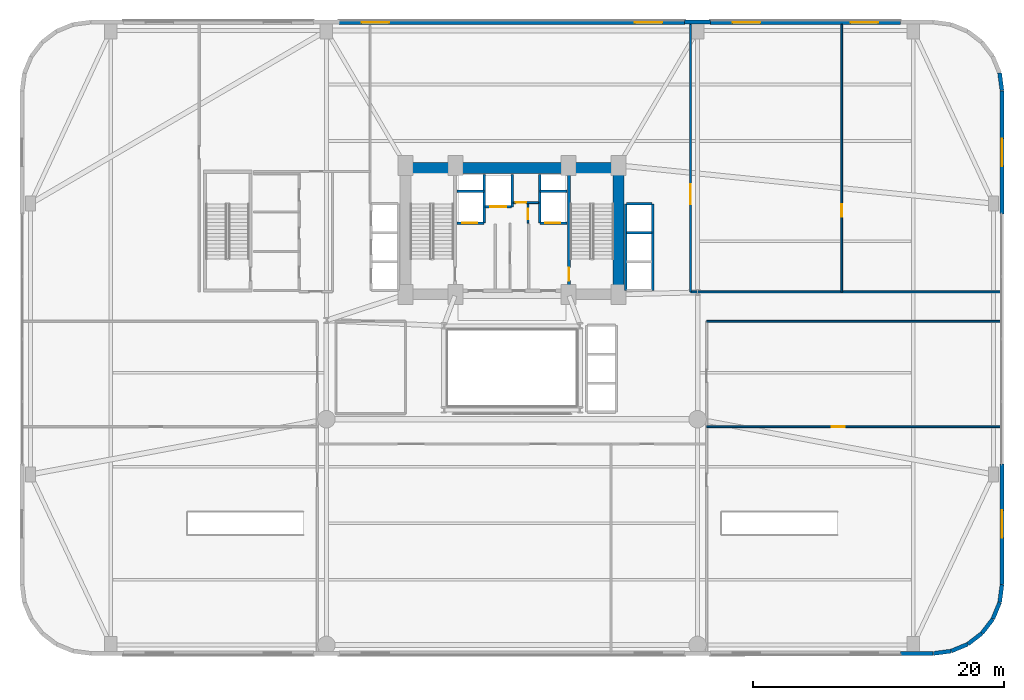
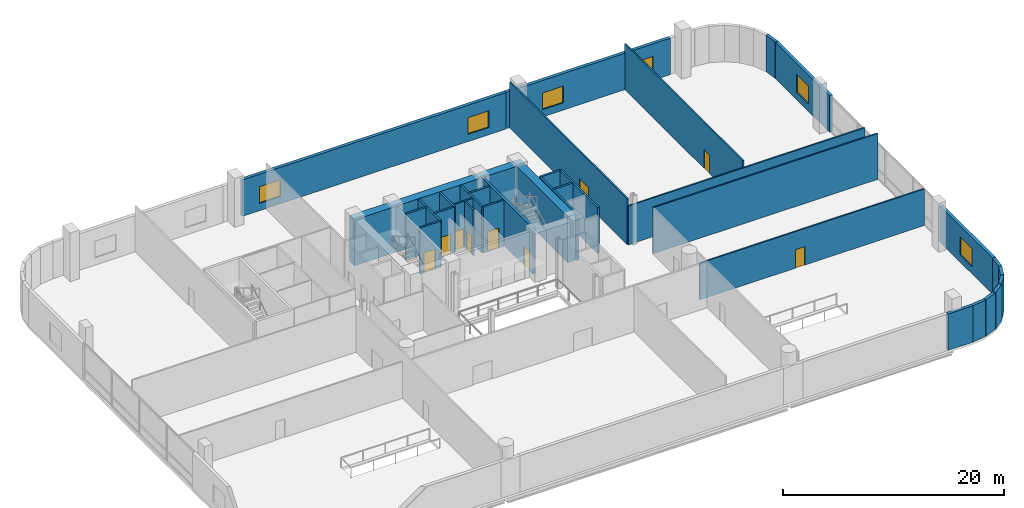
# One storey, part 24 of 31: 35 walls, 9 doors, 6 windows, 15 openings.
"""IFC4 building model written with IfcOpenShell, lengths in metres."""

from ifc_helpers import new_model, si_unit, direction, frame, frame_2d, origin, place, context, subcontext, project, spatial, rectangle, extrude, material, layer, layer_set, type_object, element, fill, save


model = new_model("IFC4")

# Units and contexts
model_context = context("Model", 3, precision=1e-05, world=origin(), true_north=direction((0.0, 1.0)))
body_context = subcontext(model_context, "Body", "Model", "MODEL_VIEW")
ifc_project = project(units=[si_unit("LENGTHUNIT", "METRE"), si_unit("AREAUNIT", "SQUARE_METRE"), si_unit("VOLUMEUNIT", "CUBIC_METRE"), si_unit("PLANEANGLEUNIT", "RADIAN"), si_unit("MASSUNIT", "GRAM", prefix="KILO")], contexts=[model_context])

# Site, building, storey
site_placement = place(None, origin())
site = spatial("IfcSite", under=ifc_project, at=site_placement, CompositionType="ELEMENT")
building_placement = place(site_placement, origin())
building = spatial("IfcBuilding", under=site, at=building_placement, Name="Varnelok Gate Tower", CompositionType="ELEMENT")
storey_placement = place(building_placement, frame((0.0, 0.0, 16.199951171875)))
storey = spatial("IfcBuildingStorey", under=building, at=storey_placement, Name="L03", CompositionType="ELEMENT", Elevation=16.199951171875)

# Wall, openings, windows
ifc_material_1 = material(Name="Concrete C45/55", Category="concrete")
ifc_layer_1 = layer(ifc_material_1, 0.320068359375)
ifc_layer_set_1 = layer_set([ifc_layer_1], Name="Concrete C45/55")
wall_type_1 = type_object("IfcWallType", Name="EW-POD-320", PredefinedType="SOLIDWALL", material=ifc_layer_set_1)
wall_1_placement = place(storey_placement, frame((25.39990234375, 50.43994140625, 0.0), z_axis=(0.0, 0.0, 1.0), x_axis=(1.0, 0.0, 0.0)))
wall_1 = element("IfcWall", 1, at=wall_1_placement, inside=storey, type_object=wall_type_1, Name="L03 North Podium Wall 2", PredefinedType="SOLIDWALL", context=body_context, shape_type="SweptSolid", body=[
    extrude(rectangle(XDim=27.60009765625, YDim=0.320068359375, at=frame_2d((13.800048828125, 0.0))), origin(), (0.0, 0.0, 1.0), 4.030029296875),
])
opening_1_placement = place(wall_1_placement, frame((1.800048828125, 0.0, 0.800048828125)))
opening_1 = element("IfcOpeningElement", 2, at=opening_1_placement, cuts=wall_1, Name="Opening WN2", PredefinedType="OPENING", context=body_context, shape_type="SweptSolid", body=[
    extrude(rectangle(XDim=2.199951171875, YDim=1.85009765625, at=frame_2d((1.10009765625, 0.925048828125))), frame((0.0, 0.169921875, 0.0), z_axis=(0.0, -1.0, 0.0), x_axis=(1.0, 0.0, 0.0)), (0.0, 0.0, 1.0), 0.340087890625),
])
opening_2_placement = place(wall_1_placement, frame((23.60009765625, 0.0, 0.800048828125)))
opening_2 = element("IfcOpeningElement", 3, at=opening_2_placement, cuts=wall_1, Name="Opening WN2", PredefinedType="OPENING", context=body_context, shape_type="SweptSolid", body=[
    extrude(rectangle(XDim=2.199951171875, YDim=1.85009765625, at=frame_2d((1.10009765625, 0.925048828125))), frame((0.0, 0.169921875, 0.0), z_axis=(0.0, -1.0, 0.0), x_axis=(1.0, 0.0, 0.0)), (0.0, 0.0, 1.0), 0.340087890625),
])
ifc_material_2 = material(Name="Low-E Laminated Double Glazing IGU", Category="glass")
window_type_1 = type_object("IfcWindowType", Name="WN-POD-2200", PartitioningType="SINGLE_PANEL", PredefinedType="WINDOW", material=ifc_material_2)
window_1_placement = place(opening_1_placement, origin())
window_1 = element("IfcWindow", 4, at=window_1_placement, inside=storey, type_object=window_type_1, Name="L03 Podium Window N2.1", OverallHeight=1.85009765625, OverallWidth=2.199951171875, PartitioningType="SINGLE_PANEL", PredefinedType="WINDOW", context=body_context, shape_type="SweptSolid", body=[
    extrude(rectangle(XDim=2.199951171875, YDim=1.85009765625, at=frame_2d((1.10009765625, 0.925048828125))), frame((0.0, 0.030029296875, 0.0), z_axis=(0.0, -1.0, 0.0), x_axis=(1.0, 0.0, 0.0)), (0.0, 0.0, 1.0), 0.06005859375),
])
fill(opening_1, window_1)
window_2_placement = place(opening_2_placement, origin())
window_2 = element("IfcWindow", 5, at=window_2_placement, inside=storey, type_object=window_type_1, Name="L03 Podium Window N2.2", OverallHeight=1.85009765625, OverallWidth=2.199951171875, PartitioningType="SINGLE_PANEL", PredefinedType="WINDOW", context=body_context, shape_type="SweptSolid", body=[
    extrude(rectangle(XDim=2.199951171875, YDim=1.85009765625, at=frame_2d((1.10009765625, 0.925048828125))), frame((0.0, 0.030029296875, 0.0), z_axis=(0.0, -1.0, 0.0), x_axis=(1.0, 0.0, 0.0)), (0.0, 0.0, 1.0), 0.06005859375),
])
fill(opening_2, window_2)

wall_2_placement = place(storey_placement, frame((55.0, 50.43994140625, 0.0), z_axis=(0.0, 0.0, 1.0), x_axis=(1.0, 0.0, 0.0)))
wall_2 = element("IfcWall", 6, at=wall_2_placement, inside=storey, type_object=wall_type_1, Name="L03 North Podium Wall 3", PredefinedType="SOLIDWALL", context=body_context, shape_type="SweptSolid", body=[
    extrude(rectangle(XDim=15.199951171875, YDim=0.320068359375, at=frame_2d((7.60009765625, 0.0))), origin(), (0.0, 0.0, 1.0), 4.030029296875),
])
opening_3_placement = place(wall_2_placement, frame((1.800048828125, 0.0, 0.800048828125)))
opening_3 = element("IfcOpeningElement", 7, at=opening_3_placement, cuts=wall_2, Name="Opening WN2", PredefinedType="OPENING", context=body_context, shape_type="SweptSolid", body=[
    extrude(rectangle(XDim=2.199951171875, YDim=1.85009765625, at=frame_2d((1.10009765625, 0.925048828125))), frame((0.0, 0.169921875, 0.0), z_axis=(0.0, -1.0, 0.0), x_axis=(1.0, 0.0, 0.0)), (0.0, 0.0, 1.0), 0.340087890625),
])
opening_4_placement = place(wall_2_placement, frame((11.199951171875, 0.0, 0.800048828125)))
opening_4 = element("IfcOpeningElement", 8, at=opening_4_placement, cuts=wall_2, Name="Opening WN2", PredefinedType="OPENING", context=body_context, shape_type="SweptSolid", body=[
    extrude(rectangle(XDim=2.199951171875, YDim=1.85009765625, at=frame_2d((1.10009765625, 0.925048828125))), frame((0.0, 0.169921875, 0.0), z_axis=(0.0, -1.0, 0.0), x_axis=(1.0, 0.0, 0.0)), (0.0, 0.0, 1.0), 0.340087890625),
])
window_3_placement = place(opening_3_placement, origin())
window_3 = element("IfcWindow", 9, at=window_3_placement, inside=storey, type_object=window_type_1, Name="L03 Podium Window N3.1", OverallHeight=1.85009765625, OverallWidth=2.199951171875, PartitioningType="SINGLE_PANEL", PredefinedType="WINDOW", context=body_context, shape_type="SweptSolid", body=[
    extrude(rectangle(XDim=2.199951171875, YDim=1.85009765625, at=frame_2d((1.10009765625, 0.925048828125))), frame((0.0, 0.030029296875, 0.0), z_axis=(0.0, -1.0, 0.0), x_axis=(1.0, 0.0, 0.0)), (0.0, 0.0, 1.0), 0.06005859375),
])
fill(opening_3, window_3)
window_4_placement = place(opening_4_placement, origin())
window_4 = element("IfcWindow", 10, at=window_4_placement, inside=storey, type_object=window_type_1, Name="L03 Podium Window N3.2", OverallHeight=1.85009765625, OverallWidth=2.199951171875, PartitioningType="SINGLE_PANEL", PredefinedType="WINDOW", context=body_context, shape_type="SweptSolid", body=[
    extrude(rectangle(XDim=2.199951171875, YDim=1.85009765625, at=frame_2d((1.10009765625, 0.925048828125))), frame((0.0, 0.030029296875, 0.0), z_axis=(0.0, -1.0, 0.0), x_axis=(1.0, 0.0, 0.0)), (0.0, 0.0, 1.0), 0.06005859375),
])
fill(opening_4, window_4)

# Walls
wall_3_placement = place(storey_placement, frame((70.169921875, 0.1201171875, 0.0), z_axis=(0.0, 0.0, 1.0), x_axis=(1.0, 0.0, 0.0)))
element("IfcWall", 11, at=wall_3_placement, inside=storey, type_object=wall_type_1, Name="L03 Perimeter Facade Closure Wall 10", PredefinedType="SOLIDWALL", context=body_context, shape_type="SweptSolid", body=[
    extrude(rectangle(XDim=2.6220703125, YDim=0.320068359375, at=frame_2d((1.31103515625, 0.0))), origin(), (0.0, 0.0, 1.0), 4.030029296875),
])
wall_4_placement = place(storey_placement, frame((72.81689453125, 0.123291015625, 0.0), z_axis=(0.0, 0.0, 1.0), x_axis=(0.991457235349, 0.130432168094, 0.0)))
element("IfcWall", 12, at=wall_4_placement, inside=storey, type_object=wall_type_1, Name="L03 Perimeter Facade Closure Wall 11", PredefinedType="SOLIDWALL", context=body_context, shape_type="SweptSolid", body=[
    extrude(rectangle(XDim=1.4130859375, YDim=0.320068359375, at=frame_2d((0.70654296875, 0.0))), origin(), (0.0, 0.0, 1.0), 4.030029296875),
])
for number, where, z_axis, x_axis, name in (
    (13, (74.2412109375, 0.3173828125, 0.0), (0.0, 0.0, 1.0), (0.923927911071, 0.382566615302, 0.0), "L03 Perimeter Facade Closure Wall 12"),
    (14, (75.559326171875, 0.870361328125, 0.0), (0.0, 0.0, 1.0), (0.79338541907, 0.60871962085, 0.0), "L03 Perimeter Facade Closure Wall 13"),
    (15, (76.689453125, 1.74560546875, 0.0), (0.0, 0.0, 1.0), (0.60871962085, 0.79338541907, 0.0), "L03 Perimeter Facade Closure Wall 14"),
    (16, (77.554443359375, 2.883544921875, 0.0), (0.0, 0.0, 1.0), (0.382714908977, 0.923866493844, 0.0), "L03 Perimeter Facade Closure Wall 15"),
):
    element("IfcWall", number, at=place(storey_placement, frame(where, z_axis=z_axis, x_axis=x_axis)), inside=storey, type_object=wall_type_1, Name=name, PredefinedType="SOLIDWALL", context=body_context, shape_type="SweptSolid", body=[
        extrude(rectangle(XDim=1.4052734375, YDim=0.320068359375, at=frame_2d((0.70263671875, 0.0))), origin(), (0.0, 0.0, 1.0), 4.030029296875),
    ])
wall_5_placement = place(storey_placement, frame((78.095703125, 4.206787109375, 0.0), z_axis=(0.0, 0.0, 1.0), x_axis=(0.130432168094, 0.991457235349, 0.0)))
element("IfcWall", 17, at=wall_5_placement, inside=storey, type_object=wall_type_1, Name="L03 Perimeter Facade Closure Wall 16", PredefinedType="SOLIDWALL", context=body_context, shape_type="SweptSolid", body=[
    extrude(rectangle(XDim=1.4130859375, YDim=0.320068359375, at=frame_2d((0.70654296875, 0.0))), origin(), (0.0, 0.0, 1.0), 4.030029296875),
])

# Wall, opening, window
wall_6_placement = place(storey_placement, frame((78.280029296875, 5.6328125, 0.0), z_axis=(0.0, 0.0, 1.0), x_axis=(0.0, 1.0, 0.0)))
wall_6 = element("IfcWall", 18, at=wall_6_placement, inside=storey, type_object=wall_type_1, Name="L03 Perimeter Facade Closure Wall 17", PredefinedType="SOLIDWALL", context=body_context, shape_type="SweptSolid", body=[
    extrude(rectangle(XDim=9.59716796875, YDim=0.320068359375, at=frame_2d((4.798583984375, 0.0))), origin(), (0.0, 0.0, 1.0), 4.030029296875),
])
opening_5_placement = place(wall_6_placement, frame((3.698486328125, 0.0, 0.800048828125)))
opening_5 = element("IfcOpeningElement", 19, at=opening_5_placement, cuts=wall_6, Name="Opening WN2A", PredefinedType="OPENING", context=body_context, shape_type="SweptSolid", body=[
    extrude(rectangle(XDim=2.199951171875, YDim=2.0, at=frame_2d((1.10009765625, 1.0))), frame((0.0, 0.169921875, 0.0), z_axis=(0.0, -1.0, 0.0), x_axis=(1.0, 0.0, 0.0)), (0.0, 0.0, 1.0), 0.340087890625),
])
window_type_2 = type_object("IfcWindowType", Name="WN-POD-2200X2000", PartitioningType="SINGLE_PANEL", PredefinedType="WINDOW", material=ifc_material_2)
window_5_placement = place(opening_5_placement, origin())
window_5 = element("IfcWindow", 20, at=window_5_placement, inside=storey, type_object=window_type_2, Name="L03 Perimeter Vision Window 17", OverallHeight=2.0, OverallWidth=2.199951171875, PartitioningType="SINGLE_PANEL", PredefinedType="WINDOW", context=body_context, shape_type="SweptSolid", body=[
    extrude(rectangle(XDim=2.199951171875, YDim=2.0, at=frame_2d((1.10009765625, 1.0))), frame((0.0, 0.030029296875, 0.0), z_axis=(0.0, -1.0, 0.0), x_axis=(1.0, 0.0, 0.0)), (0.0, 0.0, 1.0), 0.06005859375),
])
fill(opening_5, window_5)

wall_7_placement = place(storey_placement, frame((78.280029296875, 35.169921875, 0.0), z_axis=(0.0, 0.0, 1.0), x_axis=(0.0, 1.0, 0.0)))
wall_7 = element("IfcWall", 21, at=wall_7_placement, inside=storey, type_object=wall_type_1, Name="L03 Perimeter Facade Closure Wall 18", PredefinedType="SOLIDWALL", context=body_context, shape_type="SweptSolid", body=[
    extrude(rectangle(XDim=9.822265625, YDim=0.320068359375, at=frame_2d((4.9111328125, 0.0))), origin(), (0.0, 0.0, 1.0), 4.030029296875),
])
opening_6_placement = place(wall_7_placement, frame((3.81103515625, 0.0, 0.800048828125)))
opening_6 = element("IfcOpeningElement", 22, at=opening_6_placement, cuts=wall_7, Name="Opening WN2A", PredefinedType="OPENING", context=body_context, shape_type="SweptSolid", body=[
    extrude(rectangle(XDim=2.199951171875, YDim=2.0, at=frame_2d((1.10009765625, 1.0))), frame((0.0, 0.169921875, 0.0), z_axis=(0.0, -1.0, 0.0), x_axis=(1.0, 0.0, 0.0)), (0.0, 0.0, 1.0), 0.340087890625),
])
window_6_placement = place(opening_6_placement, origin())
window_6 = element("IfcWindow", 23, at=window_6_placement, inside=storey, type_object=window_type_2, Name="L03 Perimeter Vision Window 18", OverallHeight=2.0, OverallWidth=2.199951171875, PartitioningType="SINGLE_PANEL", PredefinedType="WINDOW", context=body_context, shape_type="SweptSolid", body=[
    extrude(rectangle(XDim=2.199951171875, YDim=2.0, at=frame_2d((1.10009765625, 1.0))), frame((0.0, 0.030029296875, 0.0), z_axis=(0.0, -1.0, 0.0), x_axis=(1.0, 0.0, 0.0)), (0.0, 0.0, 1.0), 0.06005859375),
])
fill(opening_6, window_6)

# Walls
wall_8_placement = place(storey_placement, frame((78.276611328125, 45.016845703125, 0.0), z_axis=(0.0, 0.0, 1.0), x_axis=(-0.130409831203, 0.991460173646, 0.0)))
element("IfcWall", 24, at=wall_8_placement, inside=storey, type_object=wall_type_1, Name="L03 Perimeter Facade Closure Wall 19", PredefinedType="SOLIDWALL", context=body_context, shape_type="SweptSolid", body=[
    extrude(rectangle(XDim=1.413330078125, YDim=0.320068359375, at=frame_2d((0.70654296875, 0.0))), origin(), (0.0, 0.0, 1.0), 4.030029296875),
])
wall_9_placement = place(storey_placement, frame((55.030029296875, 50.47998046875, 0.0), z_axis=(0.0, 0.0, 1.0), x_axis=(-1.0, 0.0, 0.0)))
element("IfcWall", 25, at=wall_9_placement, inside=storey, type_object=wall_type_1, Name="L03 Perimeter Facade Closure Wall 26", PredefinedType="SOLIDWALL", context=body_context, shape_type="SweptSolid", body=[
    extrude(rectangle(XDim=2.06005859375, YDim=0.320068359375, at=frame_2d((1.030029296875, 0.0))), origin(), (0.0, 0.0, 1.0), 4.030029296875),
])

# Wall, opening, door
ifc_material_3 = material(Name="Gypsum Plasterboard Acoustic Partition", Category="gypsum")
ifc_layer_2 = layer(ifc_material_3, 0.14990234375)
ifc_layer_set_2 = layer_set([ifc_layer_2], Name="Gypsum Plasterboard Acoustic Partition")
wall_type_2 = type_object("IfcWallType", Name="PW-PART-150", PredefinedType="PARTITIONING", material=ifc_layer_set_2)
wall_10_placement = place(storey_placement, frame((54.719970703125, 18.199951171875, 0.0), z_axis=(0.0, 0.0, 1.0), x_axis=(1.0, 0.0, 0.0)))
wall_10 = element("IfcWall", 26, at=wall_10_placement, inside=storey, type_object=wall_type_2, Name="Interior Partition", PredefinedType="PARTITIONING", context=body_context, shape_type="SweptSolid", body=[
    extrude(rectangle(XDim=23.47998046875, YDim=0.14990234375, at=frame_2d((11.739990234375, 0.0))), origin(), (0.0, 0.0, 1.0), 4.045166015625),
])
opening_7_placement = place(wall_10_placement, frame((10.0, 0.0, 0.0)))
opening_7 = element("IfcOpeningElement", 27, at=opening_7_placement, cuts=wall_10, Name="Opening D-I1", PredefinedType="OPENING", context=body_context, shape_type="SweptSolid", body=[
    extrude(rectangle(XDim=1.0, YDim=2.050048828125, at=frame_2d((0.5, 1.02490234375))), frame((0.0, 0.0849609375, 0.0), z_axis=(0.0, -1.0, 0.0), x_axis=(1.0, 0.0, 0.0)), (0.0, 0.0, 1.0), 0.169921875),
])
ifc_material_4 = material(Name="Engineered Hardwood Timber", Category="wood")
door_type_1 = type_object("IfcDoorType", Name="DR-INT-1000", OperationType="NOTDEFINED", PredefinedType="DOOR", material=ifc_material_4)
door_1_placement = place(opening_7_placement, origin())
door_1 = element("IfcDoor", 28, at=door_1_placement, inside=storey, type_object=door_type_1, Name="L03 East Wing Divider Door", OperationType="SINGLE_SWING_RIGHT", OverallHeight=2.050048828125, OverallWidth=1.0, PredefinedType="DOOR", context=body_context, shape_type="SweptSolid", body=[
    extrude(rectangle(XDim=1.0, YDim=2.050048828125, at=frame_2d((0.5, 1.02490234375))), frame((0.0, 0.02490234375, 0.0), z_axis=(0.0, -1.0, 0.0), x_axis=(1.0, 0.0, 0.0)), (0.0, 0.0, 1.0), 0.050048828125),
])
fill(opening_7, door_1)

wall_11_placement = place(storey_placement, frame((65.5, 28.9599609375, 0.0), z_axis=(0.0, 0.0, 1.0), x_axis=(0.0, 1.0, 0.0)))
wall_11 = element("IfcWall", 29, at=wall_11_placement, inside=storey, type_object=wall_type_2, Name="Interior Partition", PredefinedType="PARTITIONING", context=body_context, shape_type="SweptSolid", body=[
    extrude(rectangle(XDim=21.340087890625, YDim=0.14990234375, at=frame_2d((10.669921875, 0.0))), origin(), (0.0, 0.0, 1.0), 5.080078125),
])
opening_8_placement = place(wall_11_placement, frame((6.0, 0.0, 0.0)))
opening_8 = element("IfcOpeningElement", 30, at=opening_8_placement, cuts=wall_11, Name="Opening D-I1", PredefinedType="OPENING", context=body_context, shape_type="SweptSolid", body=[
    extrude(rectangle(XDim=1.0, YDim=2.050048828125, at=frame_2d((0.5, 1.02490234375))), frame((0.0, 0.0849609375, 0.0), z_axis=(0.0, -1.0, 0.0), x_axis=(1.0, 0.0, 0.0)), (0.0, 0.0, 1.0), 0.169921875),
])
door_2_placement = place(opening_8_placement, origin())
door_2 = element("IfcDoor", 31, at=door_2_placement, inside=storey, type_object=door_type_1, Name="L03 Cellar Annex Door", OperationType="SINGLE_SWING_LEFT", OverallHeight=2.050048828125, OverallWidth=1.0, PredefinedType="DOOR", context=body_context, shape_type="SweptSolid", body=[
    extrude(rectangle(XDim=1.0, YDim=2.050048828125, at=frame_2d((0.5, 1.02490234375))), frame((0.0, 0.02490234375, 0.0), z_axis=(0.0, -1.0, 0.0), x_axis=(1.0, 0.0, 0.0)), (0.0, 0.0, 1.0), 0.050048828125),
])
fill(opening_8, door_2)

# Wall
wall_12_placement = place(storey_placement, frame((54.719970703125, 26.6201171875, 0.0), z_axis=(0.0, 0.0, 1.0), x_axis=(1.0, 0.0, 0.0)))
element("IfcWall", 32, at=wall_12_placement, inside=storey, type_object=wall_type_2, Name="Interior Partition", PredefinedType="PARTITIONING", context=body_context, shape_type="SweptSolid", body=[
    extrude(rectangle(XDim=23.47998046875, YDim=0.14990234375, at=frame_2d((11.739990234375, 0.0))), origin(), (0.0, 0.0, 1.0), 5.080078125),
])

# Wall, opening, door
wall_13_placement = place(storey_placement, frame((53.43994140625, 28.9599609375, 0.0), z_axis=(0.0, 0.0, 1.0), x_axis=(0.0, 1.0, 0.0)))
wall_13 = element("IfcWall", 33, at=wall_13_placement, inside=storey, type_object=wall_type_2, Name="Interior Partition", PredefinedType="PARTITIONING", context=body_context, shape_type="SweptSolid", body=[
    extrude(rectangle(XDim=21.340087890625, YDim=0.14990234375, at=frame_2d((10.669921875, 0.0))), origin(), (0.0, 0.0, 1.0), 5.080078125),
])
opening_9_placement = place(wall_13_placement, frame((7.0, 0.0, 0.0)))
opening_9 = element("IfcOpeningElement", 34, at=opening_9_placement, cuts=wall_13, Name="Opening D-PL", PredefinedType="OPENING", context=body_context, shape_type="SweptSolid", body=[
    extrude(rectangle(XDim=1.60009765625, YDim=2.050048828125, at=frame_2d((0.800048828125, 1.02490234375))), frame((0.0, 0.0849609375, 0.0), z_axis=(0.0, -1.0, 0.0), x_axis=(1.0, 0.0, 0.0)), (0.0, 0.0, 1.0), 0.169921875),
])
ifc_material_5 = material(Name="Galvanized Steel Grade S350GD", Category="steel")
door_type_2 = type_object("IfcDoorType", Name="DR-PLANT-1600", OperationType="DOUBLE_DOOR_SINGLE_SWING", PredefinedType="DOOR", material=ifc_material_5)
door_3_placement = place(opening_9_placement, origin())
door_3 = element("IfcDoor", 35, at=door_3_placement, inside=storey, type_object=door_type_2, Name="L03 Banquet Kitchen Door", OperationType="DOUBLE_DOOR_SINGLE_SWING", OverallHeight=2.050048828125, OverallWidth=1.60009765625, PredefinedType="DOOR", context=body_context, shape_type="SweptSolid", body=[
    extrude(rectangle(XDim=1.60009765625, YDim=2.050048828125, at=frame_2d((0.800048828125, 1.02490234375))), frame((0.0, 0.02490234375, 0.0), z_axis=(0.0, -1.0, 0.0), x_axis=(1.0, 0.0, 0.0)), (0.0, 0.0, 1.0), 0.050048828125),
])
fill(opening_9, door_3)

# Wall
wall_14_placement = place(storey_placement, frame((53.43994140625, 28.9599609375, 0.0), z_axis=(0.0, 0.0, 1.0), x_axis=(1.0, 0.0, 0.0)))
element("IfcWall", 36, at=wall_14_placement, inside=storey, type_object=wall_type_2, Name="Interior Partition", PredefinedType="PARTITIONING", context=body_context, shape_type="SweptSolid", body=[
    extrude(rectangle(XDim=24.760009765625, YDim=0.14990234375, at=frame_2d((12.3798828125, 0.0))), origin(), (0.0, 0.0, 1.0), 4.2919921875),
])

# Wall, opening, door
wall_15_placement = place(storey_placement, frame((39.300048828125, 36.080078125, 0.0), z_axis=(0.0, 0.0, 1.0), x_axis=(1.0, 0.0, 0.0)))
wall_15 = element("IfcWall", 37, at=wall_15_placement, inside=storey, type_object=wall_type_2, Name="L03 Electrical Closet South Wall", PredefinedType="PARTITIONING", context=body_context, shape_type="SweptSolid", body=[
    extrude(rectangle(XDim=2.02001953125, YDim=0.14990234375, at=frame_2d((1.010009765625, 0.0))), origin(), (0.0, 0.0, 1.0), 5.080078125),
])
opening_10_placement = place(wall_15_placement, frame((0.179931640625, 0.0, 0.0)))
opening_10 = element("IfcOpeningElement", 38, at=opening_10_placement, cuts=wall_15, Name="Opening D-RS", PredefinedType="OPENING", context=body_context, shape_type="SweptSolid", body=[
    extrude(rectangle(XDim=0.85009765625, YDim=2.050048828125, at=frame_2d((0.425048828125, 1.02490234375))), frame((0.0, 0.0849609375, 0.0), z_axis=(0.0, -1.0, 0.0), x_axis=(1.0, 0.0, 0.0)), (0.0, 0.0, 1.0), 0.169921875),
])
door_type_3 = type_object("IfcDoorType", Name="DR-RISER-850", OperationType="NOTDEFINED", PredefinedType="DOOR", material=ifc_material_5)
door_4_placement = place(opening_10_placement, origin())
door_4 = element("IfcDoor", 39, at=door_4_placement, inside=storey, type_object=door_type_3, Name="L03 Electrical Closet Door", OperationType="SINGLE_SWING_RIGHT", OverallHeight=2.050048828125, OverallWidth=0.85009765625, PredefinedType="DOOR", context=body_context, shape_type="SweptSolid", body=[
    extrude(rectangle(XDim=0.85009765625, YDim=2.050048828125, at=frame_2d((0.425048828125, 1.02490234375))), frame((0.0, 0.02490234375, 0.0), z_axis=(0.0, -1.0, 0.0), x_axis=(1.0, 0.0, 0.0)), (0.0, 0.0, 1.0), 0.050048828125),
])
fill(opening_10, door_4)

wall_16_placement = place(storey_placement, frame((40.47998046875, 34.43994140625, 0.0), z_axis=(0.0, 0.0, 1.0), x_axis=(0.0, 1.0, 0.0)))
wall_16 = element("IfcWall", 40, at=wall_16_placement, inside=storey, type_object=wall_type_2, Name="L03 Telecoms Closet West Wall", PredefinedType="PARTITIONING", context=body_context, shape_type="SweptSolid", body=[
    extrude(rectangle(XDim=1.52001953125, YDim=0.14990234375, at=frame_2d((0.760009765625, 0.0))), origin(), (0.0, 0.0, 1.0), 5.080078125),
])
opening_11_placement = place(wall_16_placement, frame((0.320068359375, 0.0, 0.0)))
opening_11 = element("IfcOpeningElement", 41, at=opening_11_placement, cuts=wall_16, Name="Opening D-RS", PredefinedType="OPENING", context=body_context, shape_type="SweptSolid", body=[
    extrude(rectangle(XDim=0.85009765625, YDim=2.050048828125, at=frame_2d((0.425048828125, 1.02490234375))), frame((0.0, 0.0849609375, 0.0), z_axis=(0.0, -1.0, 0.0), x_axis=(1.0, 0.0, 0.0)), (0.0, 0.0, 1.0), 0.169921875),
])
door_5_placement = place(opening_11_placement, origin())
door_5 = element("IfcDoor", 42, at=door_5_placement, inside=storey, type_object=door_type_3, Name="L03 Telecoms Closet Door", OperationType="SINGLE_SWING_LEFT", OverallHeight=2.050048828125, OverallWidth=0.85009765625, PredefinedType="DOOR", context=body_context, shape_type="SweptSolid", body=[
    extrude(rectangle(XDim=0.85009765625, YDim=2.050048828125, at=frame_2d((0.425048828125, 1.02490234375))), frame((0.0, 0.02490234375, 0.0), z_axis=(0.0, -1.0, 0.0), x_axis=(1.0, 0.0, 0.0)), (0.0, 0.0, 1.0), 0.050048828125),
])
fill(opening_11, door_5)

ifc_material_6 = material(Name="Concrete C35/45", Category="concrete")
ifc_layer_3 = layer(ifc_material_6, 0.199951171875)
ifc_layer_set_3 = layer_set([ifc_layer_3], Name="Concrete C35/45")
wall_type_3 = type_object("IfcWallType", Name="PW-SHAFT-200", PredefinedType="PARTITIONING", material=ifc_layer_set_3)
wall_17_placement = place(storey_placement, frame((34.800048828125, 34.43994140625, 0.0), z_axis=(0.0, 0.0, 1.0), x_axis=(1.0, 0.0, 0.0)))
wall_17 = element("IfcWall", 43, at=wall_17_placement, inside=storey, type_object=wall_type_3, Name="L03 FF1 Shaft Front Wall", PredefinedType="PARTITIONING", context=body_context, shape_type="SweptSolid", body=[
    extrude(rectangle(XDim=2.179931640625, YDim=0.199951171875, at=frame_2d((1.08984375, 0.0))), origin(), (0.0, 0.0, 1.0), 5.080078125),
])
opening_12_placement = place(wall_17_placement, frame((0.419921875, 0.0, 0.0)))
opening_12 = element("IfcOpeningElement", 44, at=opening_12_placement, cuts=wall_17, Name="Opening LD-FF1", PredefinedType="OPENING", context=body_context, shape_type="SweptSolid", body=[
    extrude(rectangle(XDim=1.199951171875, YDim=2.199951171875, at=frame_2d((0.60009765625, 1.10009765625))), frame((0.0, 0.10986328125, 0.0), z_axis=(0.0, -1.0, 0.0), x_axis=(1.0, 0.0, 0.0)), (0.0, 0.0, 1.0), 0.219970703125),
])
door_type_4 = type_object("IfcDoorType", Name="DR-LIFT-FF1200", OperationType="SLIDING_TO_LEFT", PredefinedType="DOOR", material=ifc_material_5)
door_6_placement = place(opening_12_placement, origin())
door_6 = element("IfcDoor", 45, at=door_6_placement, inside=storey, type_object=door_type_4, Name="L03 Firefighting Lift Landing Door LD-FF1", OperationType="SLIDING_TO_LEFT", OverallHeight=2.199951171875, OverallWidth=1.199951171875, PredefinedType="DOOR", context=body_context, shape_type="SweptSolid", body=[
    extrude(rectangle(XDim=1.199951171875, YDim=2.199951171875, at=frame_2d((0.60009765625, 1.10009765625))), frame((0.0, 0.02490234375, 0.0), z_axis=(0.0, -1.0, 0.0), x_axis=(1.0, 0.0, 0.0)), (0.0, 0.0, 1.0), 0.050048828125),
])
fill(opening_12, door_6)

# Walls
wall_18_placement = place(storey_placement, frame((34.800048828125, 36.97998046875, 0.0), z_axis=(0.0, 0.0, 1.0), x_axis=(1.0, 0.0, 0.0)))
element("IfcWall", 46, at=wall_18_placement, inside=storey, type_object=wall_type_3, Name="L03 FF1 Shaft North Wall", PredefinedType="PARTITIONING", context=body_context, shape_type="SweptSolid", body=[
    extrude(rectangle(XDim=2.179931640625, YDim=0.199951171875, at=frame_2d((1.08984375, 0.0))), origin(), (0.0, 0.0, 1.0), 5.080078125),
])
wall_19_placement = place(storey_placement, frame((37.0, 34.43994140625, 0.0), z_axis=(0.0, 0.0, 1.0), x_axis=(0.0, 1.0, 0.0)))
element("IfcWall", 47, at=wall_19_placement, inside=storey, type_object=wall_type_3, Name="L03 FF1 Shaft Side Wall", PredefinedType="PARTITIONING", context=body_context, shape_type="SweptSolid", body=[
    extrude(rectangle(XDim=3.900146484375, YDim=0.199951171875, at=frame_2d((1.9501953125, 0.0))), origin(), (0.0, 0.0, 1.0), 5.080078125),
])

# Wall, opening, door
wall_20_placement = place(storey_placement, frame((41.419921875, 34.43994140625, 0.0), z_axis=(0.0, 0.0, 1.0), x_axis=(1.0, 0.0, 0.0)))
wall_20 = element("IfcWall", 48, at=wall_20_placement, inside=storey, type_object=wall_type_3, Name="L03 FF2 Shaft Front Wall", PredefinedType="PARTITIONING", context=body_context, shape_type="SweptSolid", body=[
    extrude(rectangle(XDim=2.18017578125, YDim=0.199951171875, at=frame_2d((1.090087890625, 0.0))), origin(), (0.0, 0.0, 1.0), 5.080078125),
])
opening_13_placement = place(wall_20_placement, frame((0.419921875, 0.0, 0.0)))
opening_13 = element("IfcOpeningElement", 49, at=opening_13_placement, cuts=wall_20, Name="Opening LD-FF2", PredefinedType="OPENING", context=body_context, shape_type="SweptSolid", body=[
    extrude(rectangle(XDim=1.199951171875, YDim=2.199951171875, at=frame_2d((0.60009765625, 1.10009765625))), frame((0.0, 0.10986328125, 0.0), z_axis=(0.0, -1.0, 0.0), x_axis=(1.0, 0.0, 0.0)), (0.0, 0.0, 1.0), 0.219970703125),
])
door_7_placement = place(opening_13_placement, origin())
door_7 = element("IfcDoor", 50, at=door_7_placement, inside=storey, type_object=door_type_4, Name="L03 Firefighting Lift Landing Door LD-FF2", OperationType="SLIDING_TO_LEFT", OverallHeight=2.199951171875, OverallWidth=1.199951171875, PredefinedType="DOOR", context=body_context, shape_type="SweptSolid", body=[
    extrude(rectangle(XDim=1.199951171875, YDim=2.199951171875, at=frame_2d((0.60009765625, 1.10009765625))), frame((0.0, 0.02490234375, 0.0), z_axis=(0.0, -1.0, 0.0), x_axis=(1.0, 0.0, 0.0)), (0.0, 0.0, 1.0), 0.050048828125),
])
fill(opening_13, door_7)

# Walls
wall_21_placement = place(storey_placement, frame((41.419921875, 36.97998046875, 0.0), z_axis=(0.0, 0.0, 1.0), x_axis=(1.0, 0.0, 0.0)))
element("IfcWall", 51, at=wall_21_placement, inside=storey, type_object=wall_type_3, Name="L03 FF2 Shaft North Wall", PredefinedType="PARTITIONING", context=body_context, shape_type="SweptSolid", body=[
    extrude(rectangle(XDim=2.18017578125, YDim=0.199951171875, at=frame_2d((1.090087890625, 0.0))), origin(), (0.0, 0.0, 1.0), 5.080078125),
])
wall_22_placement = place(storey_placement, frame((41.39990234375, 34.43994140625, 0.0), z_axis=(0.0, 0.0, 1.0), x_axis=(0.0, 1.0, 0.0)))
element("IfcWall", 52, at=wall_22_placement, inside=storey, type_object=wall_type_3, Name="L03 FF2 Shaft Side Wall", PredefinedType="PARTITIONING", context=body_context, shape_type="SweptSolid", body=[
    extrude(rectangle(XDim=3.900146484375, YDim=0.199951171875, at=frame_2d((1.9501953125, 0.0))), origin(), (0.0, 0.0, 1.0), 5.080078125),
])

# Wall, opening, door
wall_23_placement = place(storey_placement, frame((37.06005859375, 35.75, 0.0), z_axis=(0.0, 0.0, 1.0), x_axis=(1.0, 0.0, 0.0)))
wall_23 = element("IfcWall", 53, at=wall_23_placement, inside=storey, type_object=wall_type_3, Name="L03 SV1 Shaft Front Wall", PredefinedType="PARTITIONING", context=body_context, shape_type="SweptSolid", body=[
    extrude(rectangle(XDim=2.119873046875, YDim=0.199951171875, at=frame_2d((1.06005859375, 0.0))), origin(), (0.0, 0.0, 1.0), 5.080078125),
])
opening_14_placement = place(wall_23_placement, frame((0.39990234375, 0.0, 0.0)))
opening_14 = element("IfcOpeningElement", 54, at=opening_14_placement, cuts=wall_23, Name="Opening LD-SV1", PredefinedType="OPENING", context=body_context, shape_type="SweptSolid", body=[
    extrude(rectangle(XDim=1.300048828125, YDim=2.199951171875, at=frame_2d((0.64990234375, 1.10009765625))), frame((0.0, 0.10986328125, 0.0), z_axis=(0.0, -1.0, 0.0), x_axis=(1.0, 0.0, 0.0)), (0.0, 0.0, 1.0), 0.219970703125),
])
door_type_5 = type_object("IfcDoorType", Name="DR-LIFT-SV1300", OperationType="SLIDING_TO_LEFT", PredefinedType="DOOR", material=ifc_material_5)
door_8_placement = place(opening_14_placement, origin())
door_8 = element("IfcDoor", 55, at=door_8_placement, inside=storey, type_object=door_type_5, Name="L03 Service Lift Landing Door LD-SV1", OperationType="SLIDING_TO_LEFT", OverallHeight=2.199951171875, OverallWidth=1.300048828125, PredefinedType="DOOR", context=body_context, shape_type="SweptSolid", body=[
    extrude(rectangle(XDim=1.300048828125, YDim=2.199951171875, at=frame_2d((0.64990234375, 1.10009765625))), frame((0.0, 0.02490234375, 0.0), z_axis=(0.0, -1.0, 0.0), x_axis=(1.0, 0.0, 0.0)), (0.0, 0.0, 1.0), 0.050048828125),
])
fill(opening_14, door_8)

# Walls
wall_24_placement = place(storey_placement, frame((39.219970703125, 35.75, 0.0), z_axis=(0.0, 0.0, 1.0), x_axis=(0.0, 1.0, 0.0)))
element("IfcWall", 56, at=wall_24_placement, inside=storey, type_object=wall_type_3, Name="L03 SV1 Shaft East Wall", PredefinedType="PARTITIONING", context=body_context, shape_type="SweptSolid", body=[
    extrude(rectangle(XDim=2.590087890625, YDim=0.199951171875, at=frame_2d((1.294921875, 0.0))), origin(), (0.0, 0.0, 1.0), 5.080078125),
])
for number, where, z_axis, x_axis, name in (
    (57, (48.320068359375, 33.675048828125, 0.0), (0.0, 0.0, 1.0), (1.0, 0.0, 0.0), "L03 PM2 Divider"),
    (58, (48.320068359375, 35.969970703125, 0.0), (0.0, 0.0, 1.0), (1.0, 0.0, 0.0), "L03 PM Bank North Wall"),
):
    element("IfcWall", number, at=place(storey_placement, frame(where, z_axis=z_axis, x_axis=x_axis)), inside=storey, type_object=wall_type_3, Name=name, PredefinedType="PARTITIONING", context=body_context, shape_type="SweptSolid", body=[
        extrude(rectangle(XDim=2.059814453125, YDim=0.199951171875, at=frame_2d((1.02978515625, 0.0))), origin(), (0.0, 0.0, 1.0), 5.080078125),
    ])
for number, where, z_axis, x_axis, name in (
    (59, (48.280029296875, 29.080078125, 0.0), (0.0, 0.0, 1.0), (0.0, 1.0, 0.0), "L03 PM Bank Back Wall"),
    (60, (50.43994140625, 29.080078125, 0.0), (0.0, 0.0, 1.0), (0.0, 1.0, 0.0), "L03 PM Bank Front Wall"),
):
    element("IfcWall", number, at=place(storey_placement, frame(where, z_axis=z_axis, x_axis=x_axis)), inside=storey, type_object=wall_type_3, Name=name, PredefinedType="PARTITIONING", context=body_context, shape_type="SweptSolid", body=[
        extrude(rectangle(XDim=6.889892578125, YDim=0.199951171875, at=frame_2d((3.44482421875, 0.0))), origin(), (0.0, 0.0, 1.0), 5.080078125),
    ])
ifc_material_7 = material(Name="Concrete C70/85", Category="concrete")
ifc_layer_4 = layer(ifc_material_7, 0.85009765625)
ifc_layer_set_4 = layer_set([ifc_layer_4], Name="Concrete C70/85")
wall_type_4 = type_object("IfcWallType", Name="SW-CORE-850", PredefinedType="SHEAR", material=ifc_layer_set_4)
wall_25_placement = place(storey_placement, frame((30.280029296875, 38.844970703125, 0.0), z_axis=(0.0, 0.0, 1.0), x_axis=(1.0, 0.0, 0.0)))
element("IfcWall", 61, at=wall_25_placement, inside=storey, type_object=wall_type_4, Name="L03 Rear Core North Shear Wall", PredefinedType="SHEAR", context=body_context, shape_type="SweptSolid", body=[
    extrude(rectangle(XDim=17.840087890625, YDim=0.85009765625, at=frame_2d((8.919921875, 0.0))), origin(), (0.0, 0.0, 1.0), 5.080078125),
])
wall_26_placement = place(storey_placement, frame((47.695068359375, 29.199951171875, 0.0), z_axis=(0.0, 0.0, 1.0), x_axis=(0.0, 1.0, 0.0)))
element("IfcWall", 62, at=wall_26_placement, inside=storey, type_object=wall_type_4, Name="L03 Rear Core East Shear Wall", PredefinedType="SHEAR", context=body_context, shape_type="SweptSolid", body=[
    extrude(rectangle(XDim=9.219970703125, YDim=0.85009765625, at=frame_2d((4.60986328125, 0.0))), origin(), (0.0, 0.0, 1.0), 5.080078125),
])

# Wall, opening, door
ifc_material_8 = material(Name="Concrete C60/75", Category="concrete")
ifc_layer_5 = layer(ifc_material_8, 0.25)
ifc_layer_set_5 = layer_set([ifc_layer_5], Name="Concrete C60/75")
wall_type_5 = type_object("IfcWallType", Name="SW-SHAFT-250", PredefinedType="SHEAR", material=ifc_layer_set_5)
wall_27_placement = place(storey_placement, frame((43.760009765625, 29.199951171875, 0.0), z_axis=(0.0, 0.0, 1.0), x_axis=(0.0, 1.0, 0.0)))
wall_27 = element("IfcWall", 63, at=wall_27_placement, inside=storey, type_object=wall_type_5, Name="L03 Stair ST-2 West Shear Wall", PredefinedType="SHEAR", context=body_context, shape_type="SweptSolid", body=[
    extrude(rectangle(XDim=9.219970703125, YDim=0.25, at=frame_2d((4.60986328125, 0.0))), origin(), (0.0, 0.0, 1.0), 5.080078125),
])
opening_15_placement = place(wall_27_placement, frame((0.64990234375, 0.0, 0.0)))
opening_15 = element("IfcOpeningElement", 64, at=opening_15_placement, cuts=wall_27, Name="Opening D-ST", PredefinedType="OPENING", context=body_context, shape_type="SweptSolid", body=[
    extrude(rectangle(XDim=1.050048828125, YDim=2.14990234375, at=frame_2d((0.52490234375, 1.074951171875))), frame((0.0, 0.135009765625, 0.0), z_axis=(0.0, -1.0, 0.0), x_axis=(1.0, 0.0, 0.0)), (0.0, 0.0, 1.0), 0.27001953125),
])
door_type_6 = type_object("IfcDoorType", Name="DR-STAIR-1050", OperationType="NOTDEFINED", PredefinedType="DOOR", material=ifc_material_5)
door_9_placement = place(opening_15_placement, origin())
door_9 = element("IfcDoor", 65, at=door_9_placement, inside=storey, type_object=door_type_6, Name="L03 Exit Stair ST-2 Fire Door", OperationType="SINGLE_SWING_RIGHT", OverallHeight=2.14990234375, OverallWidth=1.050048828125, PredefinedType="DOOR", context=body_context, shape_type="SweptSolid", body=[
    extrude(rectangle(XDim=1.050048828125, YDim=2.14990234375, at=frame_2d((0.52490234375, 1.074951171875))), frame((0.0, 0.02490234375, 0.0), z_axis=(0.0, -1.0, 0.0), x_axis=(1.0, 0.0, 0.0)), (0.0, 0.0, 1.0), 0.050048828125),
])
fill(opening_15, door_9)

save(model, "model.ifc")
